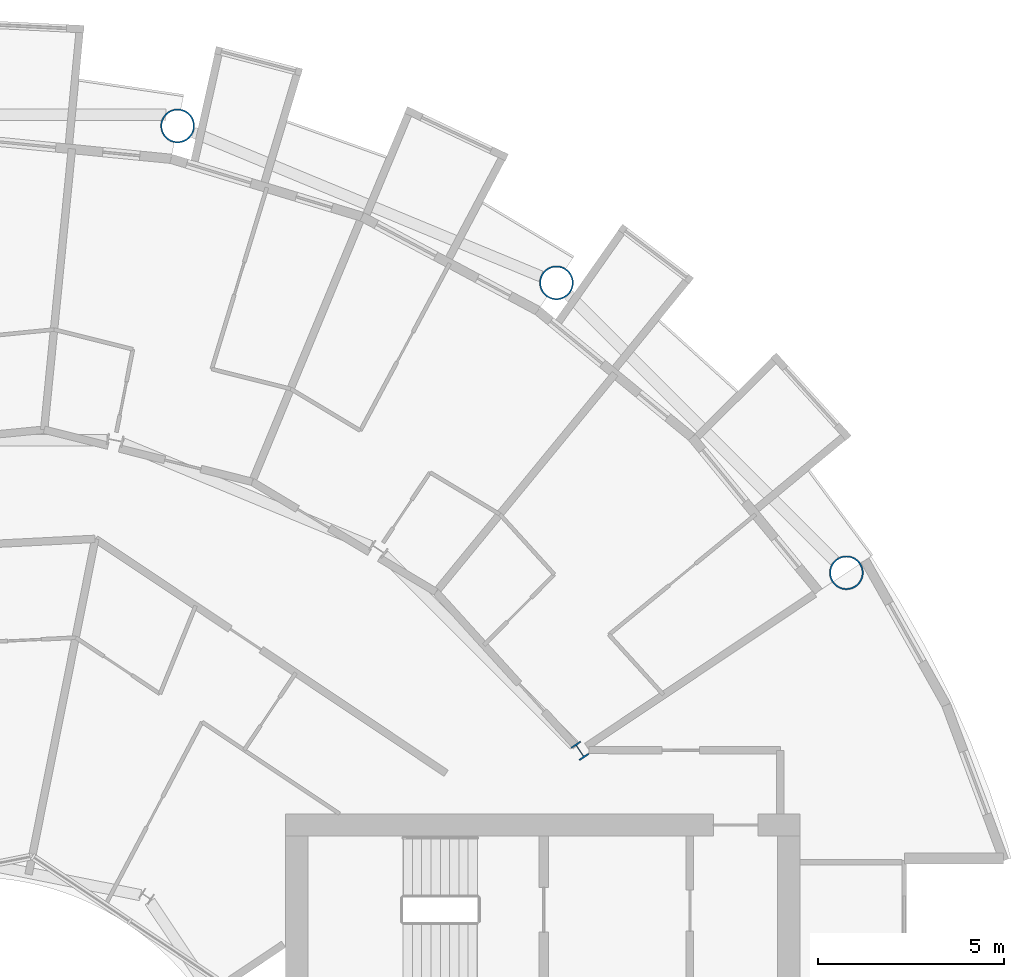
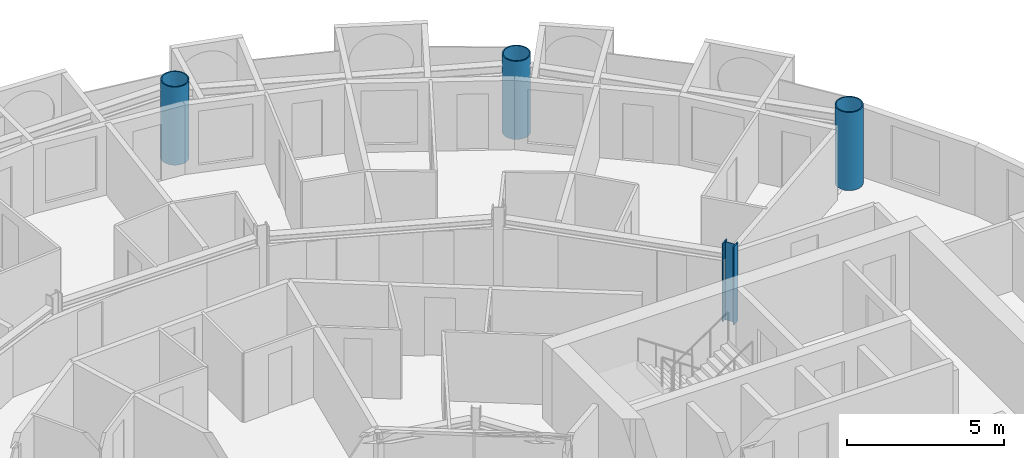
# One storey, part 4 of 26: 4 columns.
"""IFC4 building model written with IfcOpenShell, lengths in metres."""

from ifc_helpers import new_model, si_unit, direction, frame, origin, origin_2d, place, context, subcontext, project, spatial, hollow_circle, i_section, extrude, material, material_profile, profile_set, type_object, element, save


model = new_model("IFC4")

# Units and contexts
model_context = context("Model", 3, precision=1e-05, world=origin(), true_north=direction((0.0, 1.0)))
body_context = subcontext(model_context, "Body", "Model", "MODEL_VIEW")
ifc_project = project(units=[si_unit("LENGTHUNIT", "METRE"), si_unit("AREAUNIT", "SQUARE_METRE"), si_unit("VOLUMEUNIT", "CUBIC_METRE"), si_unit("PLANEANGLEUNIT", "RADIAN"), si_unit("MASSUNIT", "GRAM", prefix="KILO")], contexts=[model_context])

# Site, building, storey
site_placement = place(None, origin())
site = spatial("IfcSite", under=ifc_project, at=site_placement, CompositionType="ELEMENT")
building_placement = place(site_placement, origin())
building = spatial("IfcBuilding", under=site, at=building_placement, Name="Maasbend Ring Residences", CompositionType="ELEMENT")
storey_placement = place(building_placement, frame((0.0, 0.0, 123.85009765625)))
storey = spatial("IfcBuildingStorey", under=building, at=storey_placement, Name="L35", CompositionType="ELEMENT", Elevation=123.85009765625)

# Columns
ifc_material_1 = material(Name="Composite concrete-filled steel tube S460NH / C80/95", Category="concrete")
ifc_material_profile_1 = material_profile(ifc_material_1, hollow_circle(Radius=0.45703125, WallThickness=0.0400390625, at=origin_2d()), Name="Composite tube column CHS 914x40")
ifc_profile_set_1 = profile_set([ifc_material_profile_1], Name="Composite concrete-filled steel tube S460NH / C80/95")
column_type_1 = type_object("IfcColumnType", Name="Composite tube column CHS 914x40", PredefinedType="COLUMN", material=ifc_profile_set_1)
for number, where, z_axis, x_axis, name in (
    (1, (23.447509765625, 15.6669921875, 0.0), (0.0, 0.0, 1.0), (1.0, 0.0, 0.0), "Outer column R2"),
    (2, (15.6669921875, 23.447509765625, 0.0), (0.0, 0.0, 1.0), (1.0, 0.0, 0.0), "Outer column R3"),
    (3, (5.50146484375, 27.658203125, 0.0), (0.0, 0.0, 1.0), (1.0, 0.0, 0.0), "Outer column R4"),
):
    element("IfcColumn", number, at=place(storey_placement, frame(where, z_axis=z_axis, x_axis=x_axis)), inside=storey, type_object=column_type_1, Name=name, PredefinedType="COLUMN", context=body_context, shape_type="SweptSolid", body=[
        extrude(hollow_circle(Radius=0.45703125, WallThickness=0.0400390625, at=origin_2d()), origin(), (0.0, 0.0, 1.0), 3.0498046875),
    ])
ifc_material_2 = material(Name="Steel S460M", Category="steel")
ifc_material_profile_2 = material_profile(ifc_material_2, i_section(OverallWidth=0.306884765625, OverallDepth=0.431884765625, WebThickness=0.02099609375, FlangeThickness=0.0400390625, FilletRadius=0.027099609375, at=origin_2d()), Name="HEM 400")
ifc_profile_set_2 = profile_set([ifc_material_profile_2], Name="Steel S460M")
column_type_2 = type_object("IfcColumnType", Name="Steel column HEM 400", PredefinedType="COLUMN", material=ifc_profile_set_2)
column_placement = place(storey_placement, frame((16.296875, 10.88916015625, 0.0), z_axis=(0.0, 0.0, 1.0), x_axis=(0.831469612303, 0.55557023302, 0.0)))
element("IfcColumn", 4, at=column_placement, inside=storey, type_object=column_type_2, Name="Corridor ring column R2", PredefinedType="COLUMN", context=body_context, shape_type="SweptSolid", body=[
    extrude(i_section(OverallWidth=0.306884765625, OverallDepth=0.431884765625, WebThickness=0.02099609375, FlangeThickness=0.0400390625, FilletRadius=0.027099609375, at=origin_2d()), origin(), (0.0, 0.0, 1.0), 3.0498046875),
])

save(model, "model.ifc")
